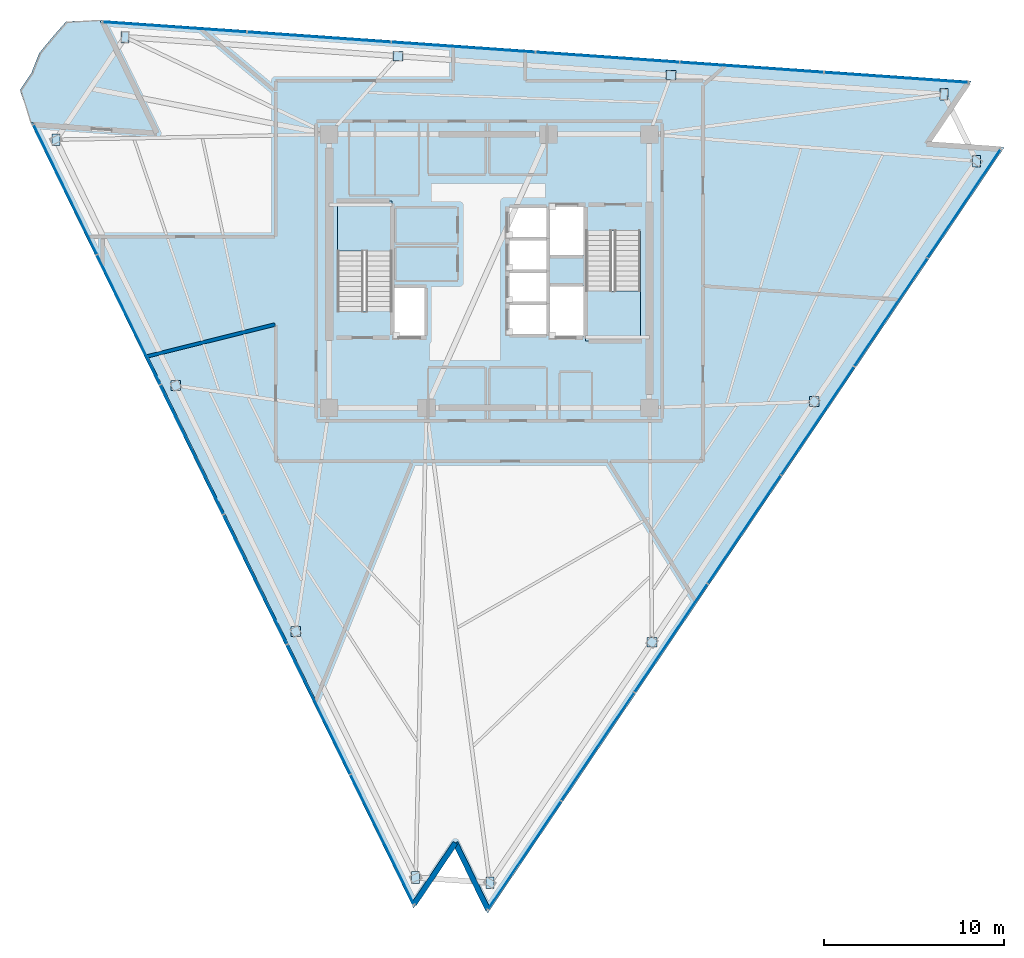
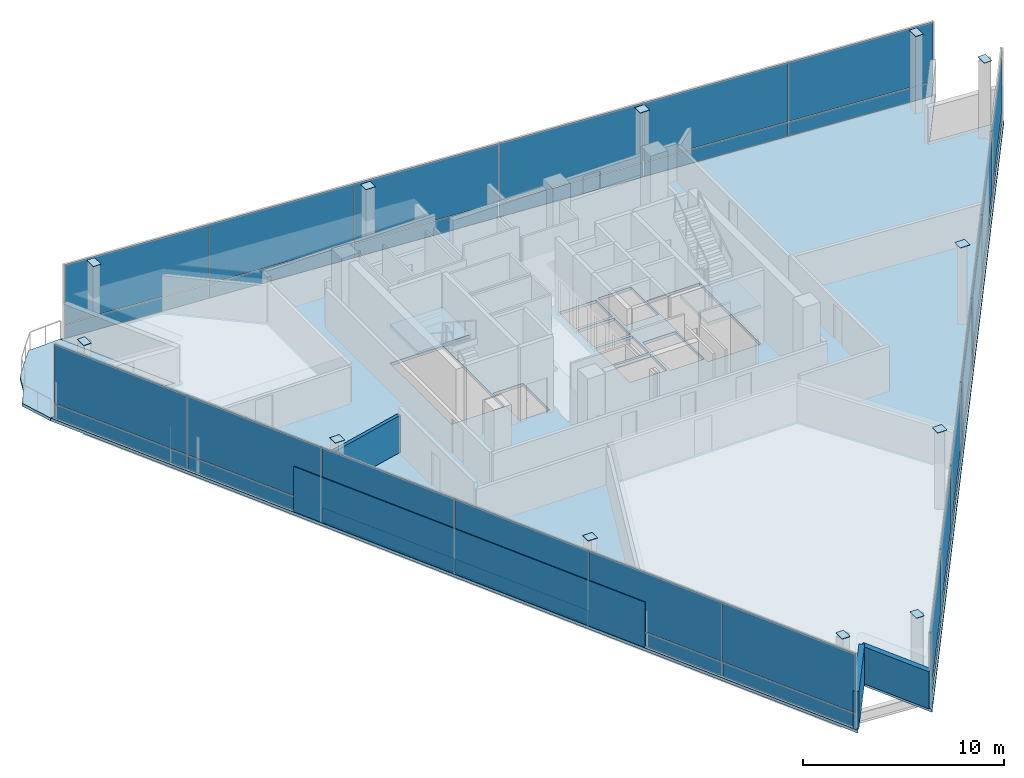
# One storey, part 8 of 13: 50 plates, 4 slabs, 4 walls, 5 elements without a shape of their own.
"""IFC4 building model written with IfcOpenShell, lengths in metres."""

from ifc_helpers import new_model, si_unit, direction, frame, frame_2d, origin, origin_2d, place, context, subcontext, project, spatial, polyline, rectangle, outline, extrude, material, layer, layer_set, type_object, element, aggregate, save


model = new_model("IFC4")

# Units and contexts
model_context = context("Model", 3, precision=1e-05, world=origin(), true_north=direction((0.0, 1.0)))
body_context = subcontext(model_context, "Body", "Model", "MODEL_VIEW")
ifc_project = project(units=[si_unit("LENGTHUNIT", "METRE"), si_unit("AREAUNIT", "SQUARE_METRE"), si_unit("VOLUMEUNIT", "CUBIC_METRE"), si_unit("PLANEANGLEUNIT", "RADIAN"), si_unit("MASSUNIT", "GRAM", prefix="KILO")], contexts=[model_context])

# Site, building, storey
site_placement = place(None, origin())
site = spatial("IfcSite", under=ifc_project, at=site_placement, CompositionType="ELEMENT")
building_placement = place(site_placement, origin())
building = spatial("IfcBuilding", under=site, at=building_placement, Name="Tharavind Bronze Gate", CompositionType="ELEMENT")
storey_placement = place(building_placement, frame((0.0, 0.0, 248.64990234375)))
storey = spatial("IfcBuildingStorey", under=building, at=storey_placement, Name="L64", CompositionType="ELEMENT", Elevation=248.64990234375)

# Curtain wall, plates
ifc_material_1 = material(Name="Anodised Bronze Aluminium", Category="aluminium")
ifc_layer_1 = layer(ifc_material_1, 0.219970703125)
ifc_layer_set_1 = layer_set([ifc_layer_1], Name="Anodised Bronze Aluminium")
curtain_wall_type = type_object("IfcCurtainWallType", Name="UNITISED CURTAIN WALL UPPER OFFICE", PredefinedType="USERDEFINED", material=ifc_layer_set_1)
curtain_wall_1_placement = place(storey_placement, origin())
curtain_wall_1 = element("IfcCurtainWall", 1, at=curtain_wall_1_placement, inside=storey, type_object=curtain_wall_type, Name="L64 unitised curtain wall upper office CW-L64-S1", ObjectType="UNITISED CURTAIN WALL", PredefinedType="USERDEFINED")
ifc_material_2 = material(Name="Patinated Bronze Alloy Sheet", Category="bronze")
ifc_layer_2 = layer(ifc_material_2, 0.01611328125)
ifc_layer_set_2 = layer_set([ifc_layer_2], Name="Patinated Bronze Alloy Sheet")
plate_type_1 = type_object("IfcPlateType", Name="BRONZE SPANDREL CLADDING PANEL 16", PredefinedType="CURTAIN_PANEL", material=ifc_layer_set_2)
plate_1_placement = place(storey_placement, frame((-23.5751953125, 4.5283203125, 0.02685546875), z_axis=(0.0, 0.0, 1.0), x_axis=(0.438371146789, -0.898794046299, 0.0)))
plate_1 = element("IfcPlate", 2, at=plate_1_placement, type_object=plate_type_1, Name="CW-L64-S1 bronze spandrel panel 1", PredefinedType="CURTAIN_PANEL", context=body_context, shape_type="SweptSolid", body=[
    extrude(rectangle(XDim=7.985107421875, YDim=0.01611328125, at=origin_2d()), origin(), (0.0, 0.0, 1.0), 0.846923828125),
])
plate_2_placement = place(storey_placement, frame((-20.051513671875, -2.696044921875, 0.02685546875), z_axis=(0.0, 0.0, 1.0), x_axis=(0.438371146789, -0.898794046299, 0.0)))
plate_2 = element("IfcPlate", 3, at=plate_2_placement, type_object=plate_type_1, Name="CW-L64-S1 bronze spandrel panel 2", PredefinedType="CURTAIN_PANEL", context=body_context, shape_type="SweptSolid", body=[
    extrude(rectangle(XDim=7.985107421875, YDim=0.01611328125, at=origin_2d()), origin(), (0.0, 0.0, 1.0), 0.846923828125),
])
plate_3_placement = place(storey_placement, frame((-16.528076171875, -9.920654296875, 0.02685546875), z_axis=(0.0, 0.0, 1.0), x_axis=(0.438371146789, -0.898794046299, 0.0)))
plate_3 = element("IfcPlate", 4, at=plate_3_placement, type_object=plate_type_1, Name="CW-L64-S1 bronze spandrel panel 3", PredefinedType="CURTAIN_PANEL", context=body_context, shape_type="SweptSolid", body=[
    extrude(rectangle(XDim=7.985107421875, YDim=0.01611328125, at=origin_2d()), origin(), (0.0, 0.0, 1.0), 0.846923828125),
])
plate_4_placement = place(storey_placement, frame((-13.00439453125, -17.145263671875, 0.02685546875), z_axis=(0.0, 0.0, 1.0), x_axis=(0.438371146789, -0.898794046299, 0.0)))
plate_4 = element("IfcPlate", 5, at=plate_4_placement, type_object=plate_type_1, Name="CW-L64-S1 bronze spandrel panel 4", PredefinedType="CURTAIN_PANEL", context=body_context, shape_type="SweptSolid", body=[
    extrude(rectangle(XDim=7.985107421875, YDim=0.01611328125, at=origin_2d()), origin(), (0.0, 0.0, 1.0), 0.846923828125),
])
plate_5_placement = place(storey_placement, frame((-9.480712890625, -24.36962890625, 0.02685546875), z_axis=(0.0, 0.0, 1.0), x_axis=(0.438371146789, -0.898794046299, 0.0)))
plate_5 = element("IfcPlate", 6, at=plate_5_placement, type_object=plate_type_1, Name="CW-L64-S1 bronze spandrel panel 5", PredefinedType="CURTAIN_PANEL", context=body_context, shape_type="SweptSolid", body=[
    extrude(rectangle(XDim=7.985107421875, YDim=0.01611328125, at=origin_2d()), origin(), (0.0, 0.0, 1.0), 0.846923828125),
])
plate_6_placement = place(storey_placement, frame((-5.95703125, -31.59423828125, 0.02685546875), z_axis=(0.0, 0.0, 1.0), x_axis=(0.438371146789, -0.898794046299, 0.0)))
plate_6 = element("IfcPlate", 7, at=plate_6_placement, type_object=plate_type_1, Name="CW-L64-S1 bronze spandrel panel 6", PredefinedType="CURTAIN_PANEL", context=body_context, shape_type="SweptSolid", body=[
    extrude(rectangle(XDim=7.985107421875, YDim=0.01611328125, at=origin_2d()), origin(), (0.0, 0.0, 1.0), 0.846923828125),
])

curtain_wall_2_placement = place(storey_placement, origin())
curtain_wall_2 = element("IfcCurtainWall", 8, at=curtain_wall_2_placement, inside=storey, type_object=curtain_wall_type, Name="L64 unitised curtain wall upper office CW-L64-S2", ObjectType="UNITISED CURTAIN WALL", PredefinedType="USERDEFINED")
plate_7_placement = place(storey_placement, frame((1.958984375, -32.4755859375, 0.02685546875), z_axis=(0.0, 0.0, 1.0), x_axis=(0.559192903471, 0.829037572555, 0.0)))
plate_7 = element("IfcPlate", 9, at=plate_7_placement, type_object=plate_type_1, Name="CW-L64-S2 bronze spandrel panel 1", PredefinedType="CURTAIN_PANEL", context=body_context, shape_type="SweptSolid", body=[
    extrude(rectangle(XDim=7.22998046875, YDim=0.01611328125, at=origin_2d()), origin(), (0.0, 0.0, 1.0), 0.846923828125),
])
plate_8_placement = place(storey_placement, frame((6.031494140625, -26.437744140625, 0.02685546875), z_axis=(0.0, 0.0, 1.0), x_axis=(0.559192903471, 0.829037572555, 0.0)))
plate_8 = element("IfcPlate", 10, at=plate_8_placement, type_object=plate_type_1, Name="CW-L64-S2 bronze spandrel panel 2", PredefinedType="CURTAIN_PANEL", context=body_context, shape_type="SweptSolid", body=[
    extrude(rectangle(XDim=7.22998046875, YDim=0.01611328125, at=origin_2d()), origin(), (0.0, 0.0, 1.0), 0.846923828125),
])
plate_9_placement = place(storey_placement, frame((10.10400390625, -20.39990234375, 0.02685546875), z_axis=(0.0, 0.0, 1.0), x_axis=(0.559192903471, 0.829037572555, 0.0)))
plate_9 = element("IfcPlate", 11, at=plate_9_placement, type_object=plate_type_1, Name="CW-L64-S2 bronze spandrel panel 3", PredefinedType="CURTAIN_PANEL", context=body_context, shape_type="SweptSolid", body=[
    extrude(rectangle(XDim=7.22998046875, YDim=0.01611328125, at=origin_2d()), origin(), (0.0, 0.0, 1.0), 0.846923828125),
])
plate_10_placement = place(storey_placement, frame((14.176513671875, -14.3623046875, 0.02685546875), z_axis=(0.0, 0.0, 1.0), x_axis=(0.559192903471, 0.829037572555, 0.0)))
plate_10 = element("IfcPlate", 12, at=plate_10_placement, type_object=plate_type_1, Name="CW-L64-S2 bronze spandrel panel 4", PredefinedType="CURTAIN_PANEL", context=body_context, shape_type="SweptSolid", body=[
    extrude(rectangle(XDim=7.22998046875, YDim=0.01611328125, at=origin_2d()), origin(), (0.0, 0.0, 1.0), 0.846923828125),
])
plate_11_placement = place(storey_placement, frame((18.2490234375, -8.324462890625, 0.02685546875), z_axis=(0.0, 0.0, 1.0), x_axis=(0.559192903471, 0.829037572555, 0.0)))
plate_11 = element("IfcPlate", 13, at=plate_11_placement, type_object=plate_type_1, Name="CW-L64-S2 bronze spandrel panel 5", PredefinedType="CURTAIN_PANEL", context=body_context, shape_type="SweptSolid", body=[
    extrude(rectangle(XDim=7.22998046875, YDim=0.01611328125, at=origin_2d()), origin(), (0.0, 0.0, 1.0), 0.846923828125),
])
plate_12_placement = place(storey_placement, frame((22.321533203125, -2.28662109375, 0.02685546875), z_axis=(0.0, 0.0, 1.0), x_axis=(0.559192903471, 0.829037572555, 0.0)))
plate_12 = element("IfcPlate", 14, at=plate_12_placement, type_object=plate_type_1, Name="CW-L64-S2 bronze spandrel panel 6", PredefinedType="CURTAIN_PANEL", context=body_context, shape_type="SweptSolid", body=[
    extrude(rectangle(XDim=7.22998046875, YDim=0.01611328125, at=origin_2d()), origin(), (0.0, 0.0, 1.0), 0.846923828125),
])
plate_13_placement = place(storey_placement, frame((26.39404296875, 3.751220703125, 0.02685546875), z_axis=(0.0, 0.0, 1.0), x_axis=(0.559192903471, 0.829037572555, 0.0)))
plate_13 = element("IfcPlate", 15, at=plate_13_placement, type_object=plate_type_1, Name="CW-L64-S2 bronze spandrel panel 7", PredefinedType="CURTAIN_PANEL", context=body_context, shape_type="SweptSolid", body=[
    extrude(rectangle(XDim=7.22998046875, YDim=0.01611328125, at=origin_2d()), origin(), (0.0, 0.0, 1.0), 0.846923828125),
])

curtain_wall_3_placement = place(storey_placement, origin())
curtain_wall_3 = element("IfcCurtainWall", 16, at=curtain_wall_3_placement, inside=storey, type_object=curtain_wall_type, Name="L64 unitised curtain wall upper office CW-L64-S3", ObjectType="UNITISED CURTAIN WALL", PredefinedType="USERDEFINED")
plate_14_placement = place(storey_placement, frame((22.611572265625, 10.760498046875, 0.02685546875), z_axis=(0.0, 0.0, 1.0), x_axis=(-0.99756392851, 0.069758214822, 0.0)))
plate_14 = element("IfcPlate", 17, at=plate_14_placement, type_object=plate_type_1, Name="CW-L64-S3 bronze spandrel panel 1", PredefinedType="CURTAIN_PANEL", context=body_context, shape_type="SweptSolid", body=[
    extrude(rectangle(XDim=7.985107421875, YDim=0.01611328125, at=origin_2d()), origin(), (0.0, 0.0, 1.0), 0.846923828125),
])
plate_15_placement = place(storey_placement, frame((14.593017578125, 11.3212890625, 0.02685546875), z_axis=(0.0, 0.0, 1.0), x_axis=(-0.99756392851, 0.069758214822, 0.0)))
plate_15 = element("IfcPlate", 18, at=plate_15_placement, type_object=plate_type_1, Name="CW-L64-S3 bronze spandrel panel 2", PredefinedType="CURTAIN_PANEL", context=body_context, shape_type="SweptSolid", body=[
    extrude(rectangle(XDim=7.985107421875, YDim=0.01611328125, at=origin_2d()), origin(), (0.0, 0.0, 1.0), 0.846923828125),
])
plate_16_placement = place(storey_placement, frame((6.57470703125, 11.882080078125, 0.02685546875), z_axis=(0.0, 0.0, 1.0), x_axis=(-0.99756392851, 0.069758214822, 0.0)))
plate_16 = element("IfcPlate", 19, at=plate_16_placement, type_object=plate_type_1, Name="CW-L64-S3 bronze spandrel panel 3", PredefinedType="CURTAIN_PANEL", context=body_context, shape_type="SweptSolid", body=[
    extrude(rectangle(XDim=7.985107421875, YDim=0.01611328125, at=origin_2d()), origin(), (0.0, 0.0, 1.0), 0.846923828125),
])
plate_17_placement = place(storey_placement, frame((-1.44384765625, 12.442626953125, 0.02685546875), z_axis=(0.0, 0.0, 1.0), x_axis=(-0.99756392851, 0.069758214822, 0.0)))
plate_17 = element("IfcPlate", 20, at=plate_17_placement, type_object=plate_type_1, Name="CW-L64-S3 bronze spandrel panel 4", PredefinedType="CURTAIN_PANEL", context=body_context, shape_type="SweptSolid", body=[
    extrude(rectangle(XDim=7.985107421875, YDim=0.01611328125, at=origin_2d()), origin(), (0.0, 0.0, 1.0), 0.846923828125),
])
plate_18_placement = place(storey_placement, frame((-9.462158203125, 13.00341796875, 0.02685546875), z_axis=(0.0, 0.0, 1.0), x_axis=(-0.99756392851, 0.069758214822, 0.0)))
plate_18 = element("IfcPlate", 21, at=plate_18_placement, type_object=plate_type_1, Name="CW-L64-S3 bronze spandrel panel 5", PredefinedType="CURTAIN_PANEL", context=body_context, shape_type="SweptSolid", body=[
    extrude(rectangle(XDim=7.985107421875, YDim=0.01611328125, at=origin_2d()), origin(), (0.0, 0.0, 1.0), 0.846923828125),
])
plate_19_placement = place(storey_placement, frame((-17.480712890625, 13.564208984375, 0.02685546875), z_axis=(0.0, 0.0, 1.0), x_axis=(-0.99756392851, 0.069758214822, 0.0)))
plate_19 = element("IfcPlate", 22, at=plate_19_placement, type_object=plate_type_1, Name="CW-L64-S3 bronze spandrel panel 6", PredefinedType="CURTAIN_PANEL", context=body_context, shape_type="SweptSolid", body=[
    extrude(rectangle(XDim=7.985107421875, YDim=0.01611328125, at=origin_2d()), origin(), (0.0, 0.0, 1.0), 0.846923828125),
])

# Slab
ifc_material_3 = material(Name="Concrete C40/50", Category="concrete")
ifc_layer_3 = layer(ifc_material_3, 0.179931640625)
ifc_layer_set_3 = layer_set([ifc_layer_3], Name="Concrete C40/50")
slab_type_1 = type_object("IfcSlabType", Name="EXTERIOR BALCONY SLAB 180", PredefinedType="FLOOR", material=ifc_layer_set_3)
slab_1_placement = place(storey_placement, frame((0.0, 0.0, -0.179931640625)))
element("IfcSlab", 23, at=slab_1_placement, inside=storey, type_object=slab_type_1, Name="L64 northeast tree balcony slab", PredefinedType="FLOOR", context=body_context, shape_type="SweptSolid", body=[
    extrude(outline(polyline([(-23.523193359375, 13.869873046875), (-24.287109375, 13.001953125), (-25.021484375, 12.114013671875), (-25.447021484375, 11.01806640625), (-26.088134765625, 10.0673828125), (-25.5029296875, 8.25244140625), (-18.6396484375, 7.772705078125), (-21.65576171875, 13.956298828125), (-23.523193359375, 13.869873046875)])), origin(), (0.0, 0.0, 1.0), 0.179931640625),
])

# Stair, slab
stair_type = type_object("IfcStairType", Name="CORE HALF TURN STAIR 1450", PredefinedType="HALF_TURN_STAIR", material=ifc_material_3)
stair_1_placement = place(storey_placement, origin())
stair_1 = element("IfcStair", 24, at=stair_1_placement, inside=storey, type_object=stair_type, Name="L64 Protected Exit Stair ST1", PredefinedType="HALF_TURN_STAIR")
ifc_layer_4 = layer(ifc_material_3, 0.199951171875)
ifc_layer_set_4 = layer_set([ifc_layer_4], Name="Concrete C40/50")
slab_type_2 = type_object("IfcSlabType", Name="STAIR LANDING SLAB 200", PredefinedType="LANDING", material=ifc_layer_set_4)
slab_2_placement = place(storey_placement, frame((0.0, 0.0, 2.175048828125)))
slab_2 = element("IfcSlab", 25, at=slab_2_placement, type_object=slab_type_2, Name="ST1 landing 1", PredefinedType="LANDING", context=body_context, shape_type="SweptSolid", body=[
    extrude(outline(polyline([(-5.39990234375, 1.110107421875), (-5.39990234375, 3.89990234375), (-8.449951171875, 3.89990234375), (-8.449951171875, 1.110107421875), (-5.39990234375, 1.110107421875)])), origin(), (0.0, 0.0, 1.0), 0.199951171875),
])
aggregate(stair_1, [slab_2])

stair_2_placement = place(storey_placement, origin())
stair_2 = element("IfcStair", 26, at=stair_2_placement, inside=storey, type_object=stair_type, Name="L64 Protected Exit Stair ST2", PredefinedType="HALF_TURN_STAIR")
slab_3_placement = place(storey_placement, frame((0.0, 0.0, 2.175048828125)))
slab_3 = element("IfcSlab", 27, at=slab_3_placement, type_object=slab_type_2, Name="ST2 landing 1", PredefinedType="LANDING", context=body_context, shape_type="SweptSolid", body=[
    extrude(outline(polyline([(5.35009765625, -1.110107421875), (5.35009765625, -3.89990234375), (8.39990234375, -3.89990234375), (8.39990234375, -1.110107421875), (5.35009765625, -1.110107421875)])), origin(), (0.0, 0.0, 1.0), 0.199951171875),
])
aggregate(stair_2, [slab_3])

# Plates
ifc_material_4 = material(Name="Steel S460", Category="steel")
ifc_layer_5 = layer(ifc_material_4, 0.02490234375)
ifc_layer_set_5 = layer_set([ifc_layer_5], Name="Steel S460")
plate_type_2 = type_object("IfcPlateType", Name="STEEL END CAP SHEET 25", PredefinedType="SHEET", material=ifc_layer_set_5)
plate_20_placement = place(storey_placement, frame((-24.093505859375, 7.302001953125, 4.737548828125), z_axis=(0.0, 0.0, 1.0), x_axis=(1.0, 0.0, 0.0)))
element("IfcPlate", 28, at=plate_20_placement, inside=storey, type_object=plate_type_2, Name="Steel end cap plate CAP-COLT-L64-S1C1", PredefinedType="SHEET", context=body_context, shape_type="SweptSolid", body=[
    extrude(rectangle(XDim=0.445068359375, YDim=0.64501953125, at=origin_2d()), origin(), (0.0, 0.0, 1.0), 0.02490234375),
])
for number, where, z_axis, x_axis, name in (
    (29, (-17.42578125, -6.368896484375, 4.737548828125), (0.0, 0.0, 1.0), (1.0, 0.0, 0.0), "Steel end cap plate CAP-COLT-L64-S1C2"),
    (30, (-10.75830078125, -20.039306640625, 4.737548828125), (0.0, 0.0, 1.0), (1.0, 0.0, 0.0), "Steel end cap plate CAP-COLT-L64-S1C3"),
):
    element("IfcPlate", number, at=place(storey_placement, frame(where, z_axis=z_axis, x_axis=x_axis)), inside=storey, type_object=plate_type_2, Name=name, PredefinedType="SHEET", context=body_context, shape_type="SweptSolid", body=[
        extrude(rectangle(XDim=0.544921875, YDim=0.544921875, at=origin_2d()), origin(), (0.0, 0.0, 1.0), 0.02490234375),
    ])
for number, where, z_axis, x_axis, name in (
    (31, (-4.090576171875, -33.710205078125, 4.737548828125), (0.0, 0.0, 1.0), (1.0, 0.0, 0.0), "Steel end cap plate CAP-COLT-L64-S1C4"),
    (32, (0.02734375, -33.998046875, 4.737548828125), (0.0, 0.0, 1.0), (1.0, 0.0, 0.0), "Steel end cap plate CAP-COLT-L64-S2C1"),
):
    element("IfcPlate", number, at=place(storey_placement, frame(where, z_axis=z_axis, x_axis=x_axis)), inside=storey, type_object=plate_type_2, Name=name, PredefinedType="SHEET", context=body_context, shape_type="SweptSolid", body=[
        extrude(rectangle(XDim=0.445068359375, YDim=0.64501953125, at=origin_2d()), origin(), (0.0, 0.0, 1.0), 0.02490234375),
    ])
for number, where, z_axis, x_axis, name in (
    (33, (9.045654296875, -20.627685546875, 4.737548828125), (0.0, 0.0, 1.0), (1.0, 0.0, 0.0), "Steel end cap plate CAP-COLT-L64-S2C2"),
    (34, (18.06396484375, -7.2578125, 4.737548828125), (0.0, 0.0, 1.0), (1.0, 0.0, 0.0), "Steel end cap plate CAP-COLT-L64-S2C3"),
):
    element("IfcPlate", number, at=place(storey_placement, frame(where, z_axis=z_axis, x_axis=x_axis)), inside=storey, type_object=plate_type_2, Name=name, PredefinedType="SHEET", context=body_context, shape_type="SweptSolid", body=[
        extrude(rectangle(XDim=0.544921875, YDim=0.544921875, at=origin_2d()), origin(), (0.0, 0.0, 1.0), 0.02490234375),
    ])
for number, where, z_axis, x_axis, name in (
    (35, (27.082275390625, 6.112548828125, 4.737548828125), (0.0, 0.0, 1.0), (1.0, 0.0, 0.0), "Steel end cap plate CAP-COLT-L64-S2C4"),
    (36, (25.272705078125, 9.82275390625, 4.737548828125), (0.0, 0.0, 1.0), (1.0, 0.0, 0.0), "Steel end cap plate CAP-COLT-L64-S3C1"),
):
    element("IfcPlate", number, at=place(storey_placement, frame(where, z_axis=z_axis, x_axis=x_axis)), inside=storey, type_object=plate_type_2, Name=name, PredefinedType="SHEET", context=body_context, shape_type="SweptSolid", body=[
        extrude(rectangle(XDim=0.445068359375, YDim=0.64501953125, at=origin_2d()), origin(), (0.0, 0.0, 1.0), 0.02490234375),
    ])
for number, where, z_axis, x_axis, name in (
    (37, (10.099609375, 10.8837890625, 4.737548828125), (0.0, 0.0, 1.0), (1.0, 0.0, 0.0), "Steel end cap plate CAP-COLT-L64-S3C2"),
    (38, (-5.0732421875, 11.944580078125, 4.737548828125), (0.0, 0.0, 1.0), (1.0, 0.0, 0.0), "Steel end cap plate CAP-COLT-L64-S3C3"),
):
    element("IfcPlate", number, at=place(storey_placement, frame(where, z_axis=z_axis, x_axis=x_axis)), inside=storey, type_object=plate_type_2, Name=name, PredefinedType="SHEET", context=body_context, shape_type="SweptSolid", body=[
        extrude(rectangle(XDim=0.544921875, YDim=0.544921875, at=origin_2d()), origin(), (0.0, 0.0, 1.0), 0.02490234375),
    ])
plate_21_placement = place(storey_placement, frame((-20.246337890625, 13.005615234375, 4.737548828125), z_axis=(0.0, 0.0, 1.0), x_axis=(1.0, 0.0, 0.0)))
element("IfcPlate", 39, at=plate_21_placement, inside=storey, type_object=plate_type_2, Name="Steel end cap plate CAP-COLT-L64-S3C4", PredefinedType="SHEET", context=body_context, shape_type="SweptSolid", body=[
    extrude(rectangle(XDim=0.445068359375, YDim=0.64501953125, at=origin_2d()), origin(), (0.0, 0.0, 1.0), 0.02490234375),
])

# Slab
ifc_layer_6 = layer(ifc_material_3, 0.179931640625)
ifc_layer_set_6 = layer_set([ifc_layer_6], Name="Concrete C40/50")
slab_type_3 = type_object("IfcSlabType", Name="STRUCTURAL FLOOR SLAB 180", PredefinedType="FLOOR", material=ifc_layer_set_6)
slab_4_placement = place(storey_placement, frame((0.0, 0.0, -0.179931640625)))
element("IfcSlab", 40, at=slab_4_placement, inside=storey, type_object=slab_type_3, Name="L64 main structural floor slab", PredefinedType="FLOOR", context=body_context, shape_type="SweptSolid", body=[
    extrude(outline(polyline([(-21.65576171875, 13.956298828125), (-18.6396484375, 7.772705078125), (-25.5029296875, 8.25244140625), (-4.209228515625, -35.406005859375), (-1.90087890625, -31.983642578125), (-0.09130859375, -35.69384765625), (28.610107421875, 6.857666015625), (24.4921875, 7.145751953125), (26.800537109375, 10.56787109375), (-21.65576171875, 13.956298828125)]), holes=[polyline([(-5.39990234375, -2.215087890625), (-5.39990234375, 3.89990234375), (-8.449951171875, 3.89990234375), (-8.449951171875, -2.215087890625), (-5.39990234375, -2.215087890625)]), polyline([(5.35009765625, 2.215087890625), (5.35009765625, -3.89990234375), (8.39990234375, -3.89990234375), (8.39990234375, 2.215087890625), (5.35009765625, 2.215087890625)]), polyline([(1.080078125, -3.52001953125), (3.199951171875, -3.52001953125), (3.199951171875, -1.8798828125), (1.080078125, -1.8798828125), (1.080078125, -3.52001953125)]), polyline([(1.080078125, -1.719970703125), (3.199951171875, -1.719970703125), (3.199951171875, -0.080078125), (1.080078125, -0.080078125), (1.080078125, -1.719970703125)]), polyline([(1.080078125, 0.080078125), (3.199951171875, 0.080078125), (3.199951171875, 1.719970703125), (1.080078125, 1.719970703125), (1.080078125, 0.080078125)]), polyline([(1.080078125, 1.8798828125), (3.199951171875, 1.8798828125), (3.199951171875, 3.52001953125), (1.080078125, 3.52001953125), (1.080078125, 1.8798828125)]), polyline([(-5.320068359375, -3.6201171875), (-3.580078125, -3.6201171875), (-3.580078125, -0.929931640625), (-5.320068359375, -0.929931640625), (-5.320068359375, -3.6201171875)]), polyline([(3.360107421875, 0.8798828125), (5.27001953125, 0.8798828125), (5.27001953125, 3.6201171875), (3.360107421875, 3.6201171875), (3.360107421875, 0.8798828125)]), polyline([(3.360107421875, -3.6201171875), (5.27001953125, -3.6201171875), (5.27001953125, -0.830078125), (3.360107421875, -0.830078125), (3.360107421875, -3.6201171875)])]), origin(), (0.0, 0.0, 1.0), 0.179931640625),
])

# Plate
ifc_material_5 = material(Name="Triple Solar Control Glazing", Category="glass")
ifc_layer_7 = layer(ifc_material_5, 0.0439453125)
ifc_layer_set_7 = layer_set([ifc_layer_7], Name="Triple Solar Control Glazing")
plate_type_3 = type_object("IfcPlateType", Name="TRIPLE GLAZED FACADE PANEL 44", PredefinedType="CURTAIN_PANEL", material=ifc_layer_set_7)
plate_22_placement = place(storey_placement, frame((-23.5751953125, 4.5283203125, 0.926513671875), z_axis=(0.0, 0.0, 1.0), x_axis=(0.438371146789, -0.898794046299, 0.0)))
plate_22 = element("IfcPlate", 41, at=plate_22_placement, type_object=plate_type_3, Name="CW-L64-S1 vision glazing panel 1", PredefinedType="CURTAIN_PANEL", context=body_context, shape_type="SweptSolid", body=[
    extrude(rectangle(XDim=7.985107421875, YDim=0.0439453125, at=origin_2d()), origin(), (0.0, 0.0, 1.0), 3.60693359375),
])

plate_23_placement = place(storey_placement, frame((-20.051513671875, -2.696044921875, 0.926513671875), z_axis=(0.0, 0.0, 1.0), x_axis=(0.438371146789, -0.898794046299, 0.0)))
plate_23 = element("IfcPlate", 42, at=plate_23_placement, type_object=plate_type_3, Name="CW-L64-S1 vision glazing panel 2", PredefinedType="CURTAIN_PANEL", context=body_context, shape_type="SweptSolid", body=[
    extrude(rectangle(XDim=7.985107421875, YDim=0.0439453125, at=origin_2d()), origin(), (0.0, 0.0, 1.0), 3.60693359375),
])

plate_24_placement = place(storey_placement, frame((-16.528076171875, -9.920654296875, 0.926513671875), z_axis=(0.0, 0.0, 1.0), x_axis=(0.438371146789, -0.898794046299, 0.0)))
plate_24 = element("IfcPlate", 43, at=plate_24_placement, type_object=plate_type_3, Name="CW-L64-S1 vision glazing panel 3", PredefinedType="CURTAIN_PANEL", context=body_context, shape_type="SweptSolid", body=[
    extrude(rectangle(XDim=7.985107421875, YDim=0.0439453125, at=origin_2d()), origin(), (0.0, 0.0, 1.0), 3.60693359375),
])

plate_25_placement = place(storey_placement, frame((-13.00439453125, -17.145263671875, 0.926513671875), z_axis=(0.0, 0.0, 1.0), x_axis=(0.438371146789, -0.898794046299, 0.0)))
plate_25 = element("IfcPlate", 44, at=plate_25_placement, type_object=plate_type_3, Name="CW-L64-S1 vision glazing panel 4", PredefinedType="CURTAIN_PANEL", context=body_context, shape_type="SweptSolid", body=[
    extrude(rectangle(XDim=7.985107421875, YDim=0.0439453125, at=origin_2d()), origin(), (0.0, 0.0, 1.0), 3.60693359375),
])

plate_26_placement = place(storey_placement, frame((-9.480712890625, -24.36962890625, 0.926513671875), z_axis=(0.0, 0.0, 1.0), x_axis=(0.438371146789, -0.898794046299, 0.0)))
plate_26 = element("IfcPlate", 45, at=plate_26_placement, type_object=plate_type_3, Name="CW-L64-S1 vision glazing panel 5", PredefinedType="CURTAIN_PANEL", context=body_context, shape_type="SweptSolid", body=[
    extrude(rectangle(XDim=7.985107421875, YDim=0.0439453125, at=origin_2d()), origin(), (0.0, 0.0, 1.0), 3.60693359375),
])

plate_27_placement = place(storey_placement, frame((-5.95703125, -31.59423828125, 0.926513671875), z_axis=(0.0, 0.0, 1.0), x_axis=(0.438371146789, -0.898794046299, 0.0)))
plate_27 = element("IfcPlate", 46, at=plate_27_placement, type_object=plate_type_3, Name="CW-L64-S1 vision glazing panel 6", PredefinedType="CURTAIN_PANEL", context=body_context, shape_type="SweptSolid", body=[
    extrude(rectangle(XDim=7.985107421875, YDim=0.0439453125, at=origin_2d()), origin(), (0.0, 0.0, 1.0), 3.60693359375),
])

aggregate(curtain_wall_1, [plate_1, plate_22, plate_2, plate_23, plate_3, plate_24, plate_4, plate_25, plate_5, plate_26, plate_6, plate_27])

plate_28_placement = place(storey_placement, frame((1.958984375, -32.4755859375, 0.926513671875), z_axis=(0.0, 0.0, 1.0), x_axis=(0.559192903471, 0.829037572555, 0.0)))
plate_28 = element("IfcPlate", 47, at=plate_28_placement, type_object=plate_type_3, Name="CW-L64-S2 vision glazing panel 1", PredefinedType="CURTAIN_PANEL", context=body_context, shape_type="SweptSolid", body=[
    extrude(rectangle(XDim=7.22998046875, YDim=0.0439453125, at=origin_2d()), origin(), (0.0, 0.0, 1.0), 3.60693359375),
])

plate_29_placement = place(storey_placement, frame((6.031494140625, -26.437744140625, 0.926513671875), z_axis=(0.0, 0.0, 1.0), x_axis=(0.559192903471, 0.829037572555, 0.0)))
plate_29 = element("IfcPlate", 48, at=plate_29_placement, type_object=plate_type_3, Name="CW-L64-S2 vision glazing panel 2", PredefinedType="CURTAIN_PANEL", context=body_context, shape_type="SweptSolid", body=[
    extrude(rectangle(XDim=7.22998046875, YDim=0.0439453125, at=origin_2d()), origin(), (0.0, 0.0, 1.0), 3.60693359375),
])

plate_30_placement = place(storey_placement, frame((10.10400390625, -20.39990234375, 0.926513671875), z_axis=(0.0, 0.0, 1.0), x_axis=(0.559192903471, 0.829037572555, 0.0)))
plate_30 = element("IfcPlate", 49, at=plate_30_placement, type_object=plate_type_3, Name="CW-L64-S2 vision glazing panel 3", PredefinedType="CURTAIN_PANEL", context=body_context, shape_type="SweptSolid", body=[
    extrude(rectangle(XDim=7.22998046875, YDim=0.0439453125, at=origin_2d()), origin(), (0.0, 0.0, 1.0), 3.60693359375),
])

plate_31_placement = place(storey_placement, frame((14.176513671875, -14.3623046875, 0.926513671875), z_axis=(0.0, 0.0, 1.0), x_axis=(0.559192903471, 0.829037572555, 0.0)))
plate_31 = element("IfcPlate", 50, at=plate_31_placement, type_object=plate_type_3, Name="CW-L64-S2 vision glazing panel 4", PredefinedType="CURTAIN_PANEL", context=body_context, shape_type="SweptSolid", body=[
    extrude(rectangle(XDim=7.22998046875, YDim=0.0439453125, at=origin_2d()), origin(), (0.0, 0.0, 1.0), 3.60693359375),
])

plate_32_placement = place(storey_placement, frame((18.2490234375, -8.324462890625, 0.926513671875), z_axis=(0.0, 0.0, 1.0), x_axis=(0.559192903471, 0.829037572555, 0.0)))
plate_32 = element("IfcPlate", 51, at=plate_32_placement, type_object=plate_type_3, Name="CW-L64-S2 vision glazing panel 5", PredefinedType="CURTAIN_PANEL", context=body_context, shape_type="SweptSolid", body=[
    extrude(rectangle(XDim=7.22998046875, YDim=0.0439453125, at=origin_2d()), origin(), (0.0, 0.0, 1.0), 3.60693359375),
])

plate_33_placement = place(storey_placement, frame((22.321533203125, -2.28662109375, 0.926513671875), z_axis=(0.0, 0.0, 1.0), x_axis=(0.559192903471, 0.829037572555, 0.0)))
plate_33 = element("IfcPlate", 52, at=plate_33_placement, type_object=plate_type_3, Name="CW-L64-S2 vision glazing panel 6", PredefinedType="CURTAIN_PANEL", context=body_context, shape_type="SweptSolid", body=[
    extrude(rectangle(XDim=7.22998046875, YDim=0.0439453125, at=origin_2d()), origin(), (0.0, 0.0, 1.0), 3.60693359375),
])

plate_34_placement = place(storey_placement, frame((26.39404296875, 3.751220703125, 0.926513671875), z_axis=(0.0, 0.0, 1.0), x_axis=(0.559192903471, 0.829037572555, 0.0)))
plate_34 = element("IfcPlate", 53, at=plate_34_placement, type_object=plate_type_3, Name="CW-L64-S2 vision glazing panel 7", PredefinedType="CURTAIN_PANEL", context=body_context, shape_type="SweptSolid", body=[
    extrude(rectangle(XDim=7.22998046875, YDim=0.0439453125, at=origin_2d()), origin(), (0.0, 0.0, 1.0), 3.60693359375),
])

aggregate(curtain_wall_2, [plate_7, plate_28, plate_8, plate_29, plate_9, plate_30, plate_10, plate_31, plate_11, plate_32, plate_12, plate_33, plate_13, plate_34])

plate_35_placement = place(storey_placement, frame((22.611572265625, 10.760498046875, 0.926513671875), z_axis=(0.0, 0.0, 1.0), x_axis=(-0.99756392851, 0.069758214822, 0.0)))
plate_35 = element("IfcPlate", 54, at=plate_35_placement, type_object=plate_type_3, Name="CW-L64-S3 vision glazing panel 1", PredefinedType="CURTAIN_PANEL", context=body_context, shape_type="SweptSolid", body=[
    extrude(rectangle(XDim=7.985107421875, YDim=0.0439453125, at=origin_2d()), origin(), (0.0, 0.0, 1.0), 3.60693359375),
])

plate_36_placement = place(storey_placement, frame((14.593017578125, 11.3212890625, 0.926513671875), z_axis=(0.0, 0.0, 1.0), x_axis=(-0.99756392851, 0.069758214822, 0.0)))
plate_36 = element("IfcPlate", 55, at=plate_36_placement, type_object=plate_type_3, Name="CW-L64-S3 vision glazing panel 2", PredefinedType="CURTAIN_PANEL", context=body_context, shape_type="SweptSolid", body=[
    extrude(rectangle(XDim=7.985107421875, YDim=0.0439453125, at=origin_2d()), origin(), (0.0, 0.0, 1.0), 3.60693359375),
])

plate_37_placement = place(storey_placement, frame((6.57470703125, 11.882080078125, 0.926513671875), z_axis=(0.0, 0.0, 1.0), x_axis=(-0.99756392851, 0.069758214822, 0.0)))
plate_37 = element("IfcPlate", 56, at=plate_37_placement, type_object=plate_type_3, Name="CW-L64-S3 vision glazing panel 3", PredefinedType="CURTAIN_PANEL", context=body_context, shape_type="SweptSolid", body=[
    extrude(rectangle(XDim=7.985107421875, YDim=0.0439453125, at=origin_2d()), origin(), (0.0, 0.0, 1.0), 3.60693359375),
])

plate_38_placement = place(storey_placement, frame((-1.44384765625, 12.442626953125, 0.926513671875), z_axis=(0.0, 0.0, 1.0), x_axis=(-0.99756392851, 0.069758214822, 0.0)))
plate_38 = element("IfcPlate", 57, at=plate_38_placement, type_object=plate_type_3, Name="CW-L64-S3 vision glazing panel 4", PredefinedType="CURTAIN_PANEL", context=body_context, shape_type="SweptSolid", body=[
    extrude(rectangle(XDim=7.985107421875, YDim=0.0439453125, at=origin_2d()), origin(), (0.0, 0.0, 1.0), 3.60693359375),
])

plate_39_placement = place(storey_placement, frame((-9.462158203125, 13.00341796875, 0.926513671875), z_axis=(0.0, 0.0, 1.0), x_axis=(-0.99756392851, 0.069758214822, 0.0)))
plate_39 = element("IfcPlate", 58, at=plate_39_placement, type_object=plate_type_3, Name="CW-L64-S3 vision glazing panel 5", PredefinedType="CURTAIN_PANEL", context=body_context, shape_type="SweptSolid", body=[
    extrude(rectangle(XDim=7.985107421875, YDim=0.0439453125, at=origin_2d()), origin(), (0.0, 0.0, 1.0), 3.60693359375),
])

plate_40_placement = place(storey_placement, frame((-17.480712890625, 13.564208984375, 0.926513671875), z_axis=(0.0, 0.0, 1.0), x_axis=(-0.99756392851, 0.069758214822, 0.0)))
plate_40 = element("IfcPlate", 59, at=plate_40_placement, type_object=plate_type_3, Name="CW-L64-S3 vision glazing panel 6", PredefinedType="CURTAIN_PANEL", context=body_context, shape_type="SweptSolid", body=[
    extrude(rectangle(XDim=7.985107421875, YDim=0.0439453125, at=origin_2d()), origin(), (0.0, 0.0, 1.0), 3.60693359375),
])

aggregate(curtain_wall_3, [plate_14, plate_35, plate_15, plate_36, plate_16, plate_37, plate_17, plate_38, plate_18, plate_39, plate_19, plate_40])

# Walls
ifc_layer_8 = layer(ifc_material_3, 0.300048828125)
ifc_layer_set_8 = layer_set([ifc_layer_8], Name="Concrete C40/50")
wall_type_1 = type_object("IfcWallType", Name="EXTERIOR SPANDREL WALL 300", PredefinedType="STANDARD", material=ifc_layer_set_8)
wall_1_placement = place(storey_placement, frame((-4.1953125, -35.20654296875, 0.0), z_axis=(0.0, 0.0, 1.0), x_axis=(0.559182319101, 0.829044711704, 0.0)))
element("IfcWall", 60, at=wall_1_placement, inside=storey, type_object=wall_type_1, Name="L64 notch cheek wall 2A", PredefinedType="STANDARD", context=body_context, shape_type="SweptSolid", body=[
    extrude(rectangle(XDim=4.128173828125, YDim=0.300048828125, at=frame_2d((2.06396484375, 0.0))), origin(), (0.0, 0.0, 1.0), 2.255126953125),
])
wall_2_placement = place(storey_placement, frame((-1.886962890625, -31.7841796875, 0.0), z_axis=(0.0, 0.0, 1.0), x_axis=(0.438367699713, -0.898795727542, 0.0)))
element("IfcWall", 61, at=wall_2_placement, inside=storey, type_object=wall_type_1, Name="L64 notch cheek wall 2B", PredefinedType="STANDARD", context=body_context, shape_type="SweptSolid", body=[
    extrude(rectangle(XDim=4.1279296875, YDim=0.300048828125, at=frame_2d((2.06396484375, 0.0))), origin(), (0.0, 0.0, 1.0), 2.255126953125),
])
ifc_material_6 = material(Name="Aerated Concrete Block", Category="concrete")
ifc_layer_9 = layer(ifc_material_6, 0.199951171875)
ifc_layer_set_9 = layer_set([ifc_layer_9], Name="Aerated Concrete Block")
wall_type_2 = type_object("IfcWallType", Name="FIRE RATED PARTITION 200", PredefinedType="PARTITIONING", material=ifc_layer_set_9)
wall_3_placement = place(storey_placement, frame((-19.050048828125, -4.749755859375, 0.0), z_axis=(0.0, 0.0, 1.0), x_axis=(0.970294553718, 0.241926598425, 0.0)))
element("IfcWall", 62, at=wall_3_placement, inside=storey, type_object=wall_type_2, Name="L64 Public Restrooms Block partition", PredefinedType="PARTITIONING", context=body_context, shape_type="SweptSolid", body=[
    extrude(rectangle(XDim=7.357666015625, YDim=0.199951171875, at=frame_2d((3.6787109375, 0.0))), origin(), (0.0, 0.0, 1.0), 2.255126953125),
])
ifc_material_7 = material(Name="Twin Stud Acoustic Gypsum", Category="gypsum")
ifc_layer_10 = layer(ifc_material_7, 0.14990234375)
ifc_layer_set_10 = layer_set([ifc_layer_10], Name="Twin Stud Acoustic Gypsum")
wall_type_3 = type_object("IfcWallType", Name="INTERIOR PARTITION WALL 150", PredefinedType="PARTITIONING", material=ifc_layer_set_10)
wall_4_placement = place(storey_placement, frame((-9.742431640625, -23.8330078125, 0.0), z_axis=(0.0, 0.0, 1.0), x_axis=(-0.438371488373, 0.898793879697, 0.0)))
element("IfcWall", 63, at=wall_4_placement, inside=storey, type_object=wall_type_3, Name="L64 Public Restrooms Block partition", PredefinedType="PARTITIONING", context=body_context, shape_type="SweptSolid", body=[
    extrude(rectangle(XDim=21.124755859375, YDim=0.14990234375, at=frame_2d((10.5625, 0.0))), origin(), (0.0, 0.0, 1.0), 2.755126953125),
])

save(model, "model.ifc")
